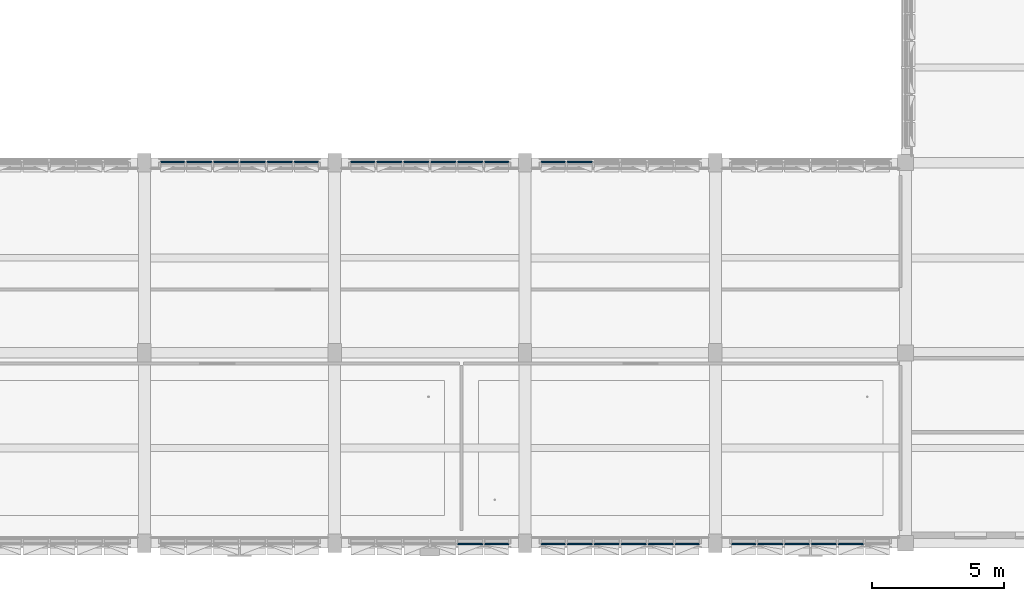
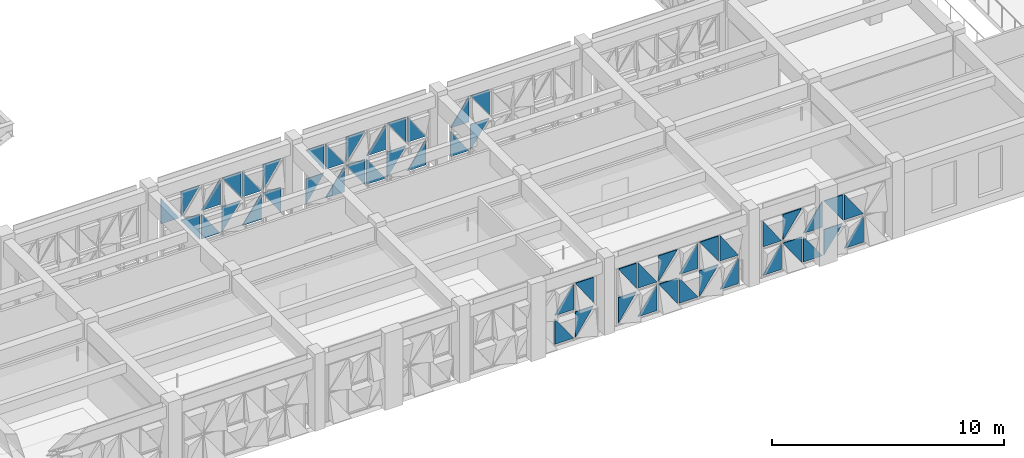
# One storey, part 31 of 88: 53 plates, 6 elements without a shape of their own.
"""IFC4 building model written with IfcOpenShell, lengths in metres."""

from ifc_helpers import new_model, si_unit, direction, frame, origin, place, context, subcontext, project, spatial, polyline, outline, extrude, material, layer, layer_set, type_object, element, aggregate, save


model = new_model("IFC4")

# Units and contexts
model_context = context("Model", 3, precision=1e-05, world=origin(), true_north=direction((0.0, 1.0)))
body_context = subcontext(model_context, "Body", "Model", "MODEL_VIEW")
ifc_project = project(units=[si_unit("LENGTHUNIT", "METRE"), si_unit("AREAUNIT", "SQUARE_METRE"), si_unit("VOLUMEUNIT", "CUBIC_METRE"), si_unit("PLANEANGLEUNIT", "RADIAN"), si_unit("MASSUNIT", "GRAM", prefix="KILO")], contexts=[model_context])

# Site, building, storey
site_placement = place(None, origin())
site = spatial("IfcSite", under=ifc_project, at=site_placement, CompositionType="ELEMENT")
building_placement = place(site_placement, origin())
building = spatial("IfcBuilding", under=site, at=building_placement, Name="Alvorim Cloister Faculty of Sciences", CompositionType="ELEMENT")
storey_placement = place(building_placement, frame((0.0, 0.0, 4.5)))
storey = spatial("IfcBuildingStorey", under=building, at=storey_placement, Name="L01", CompositionType="ELEMENT", Elevation=4.5)

# Curtain wall, plates
ifc_material_1 = material(Name="Aluminium and Low-E Glass Curtain Wall", Category="aluminium")
curtain_wall_type = type_object("IfcCurtainWallType", Name="CW-TRI-6120x3170", PredefinedType="USERDEFINED", material=ifc_material_1)
curtain_wall_1_placement = place(storey_placement, origin())
curtain_wall_1 = element("IfcCurtainWall", 1, at=curtain_wall_1_placement, inside=storey, type_object=curtain_wall_type, Name="L01 Diagonal Cassette Curtain Wall CW-0028", ObjectType="UNITISED CURTAIN WALL", PredefinedType="USERDEFINED")
ifc_material_2 = material(Name="Double Low-E Laminated Glass", Category="glass")
ifc_layer = layer(ifc_material_2, 0.0400390625)
ifc_layer_set = layer_set([ifc_layer], Name="Double Low-E Laminated Glass")
plate_type = type_object("IfcPlateType", Name="PN-GLZ-40", PredefinedType="CURTAIN_PANEL", material=ifc_layer_set)
plate_1_placement = place(storey_placement, frame((36.614990234375, 14.425048828125, 1.6650390625), z_axis=(0.0, 0.0, 1.0), x_axis=(1.0, 0.0, 0.0)))
plate_1 = element("IfcPlate", 2, at=plate_1_placement, type_object=plate_type, Name="Diagonal Glazed Triangle TRI-BL", PredefinedType="CURTAIN_PANEL", context=body_context, shape_type="SweptSolid", body=[
    extrude(outline(polyline([(0.0, 0.0), (0.905517578125, 0.0), (0.0, 1.343017578125), (0.0, 0.0)])), frame((0.0, 0.02490234375, 0.0), z_axis=(0.0, -1.0, 0.0), x_axis=(1.0, 0.0, 0.0)), (0.0, 0.0, 1.0), 0.050048828125),
])
plate_2_placement = place(storey_placement, frame((37.597412109375, 14.425048828125, 0.159912109375), z_axis=(0.0, 0.0, 1.0), x_axis=(1.0, 0.0, 0.0)))
plate_2 = element("IfcPlate", 3, at=plate_2_placement, type_object=plate_type, Name="Diagonal Glazed Triangle TRI-TR", PredefinedType="CURTAIN_PANEL", context=body_context, shape_type="SweptSolid", body=[
    extrude(outline(polyline([(0.945068359375, 0.001953125), (0.945068359375, 1.344970703125), (0.001953125, 1.344970703125), (0.945068359375, 0.001953125)])), frame((0.0, 0.02490234375, 0.0), z_axis=(0.0, -1.0, 0.0), x_axis=(1.0, 0.0, 0.0)), (0.0, 0.0, 1.0), 0.050048828125),
])
plate_3_placement = place(storey_placement, frame((37.597412109375, 14.425048828125, 1.6650390625), z_axis=(0.0, 0.0, 1.0), x_axis=(1.0, 0.0, 0.0)))
plate_3 = element("IfcPlate", 4, at=plate_3_placement, type_object=plate_type, Name="Diagonal Glazed Triangle TRI-TL", PredefinedType="CURTAIN_PANEL", context=body_context, shape_type="SweptSolid", body=[
    extrude(outline(polyline([(0.943115234375, 1.344970703125), (0.0, 1.344970703125), (0.0, 0.001953125), (0.943115234375, 1.344970703125)])), frame((0.0, 0.02490234375, 0.0), z_axis=(0.0, -1.0, 0.0), x_axis=(1.0, 0.0, 0.0)), (0.0, 0.0, 1.0), 0.050048828125),
])
plate_4_placement = place(storey_placement, frame((38.617431640625, 14.425048828125, 0.159912109375), z_axis=(0.0, 0.0, 1.0), x_axis=(1.0, 0.0, 0.0)))
plate_4 = element("IfcPlate", 5, at=plate_4_placement, type_object=plate_type, Name="Diagonal Glazed Triangle TRI-BL", PredefinedType="CURTAIN_PANEL", context=body_context, shape_type="SweptSolid", body=[
    extrude(outline(polyline([(0.0, 0.0), (0.943115234375, 0.0), (0.0, 1.343017578125), (0.0, 0.0)])), frame((0.0, 0.02490234375, 0.0), z_axis=(0.0, -1.0, 0.0), x_axis=(1.0, 0.0, 0.0)), (0.0, 0.0, 1.0), 0.050048828125),
])
plate_5_placement = place(storey_placement, frame((38.617431640625, 14.425048828125, 1.6650390625), z_axis=(0.0, 0.0, 1.0), x_axis=(1.0, 0.0, 0.0)))
plate_5 = element("IfcPlate", 6, at=plate_5_placement, type_object=plate_type, Name="Diagonal Glazed Triangle TRI-BR", PredefinedType="CURTAIN_PANEL", context=body_context, shape_type="SweptSolid", body=[
    extrude(outline(polyline([(0.001953125, 0.0), (0.945068359375, 0.0), (0.945068359375, 1.343017578125), (0.001953125, 0.0)])), frame((0.0, 0.02490234375, 0.0), z_axis=(0.0, -1.0, 0.0), x_axis=(1.0, 0.0, 0.0)), (0.0, 0.0, 1.0), 0.050048828125),
])
plate_6_placement = place(storey_placement, frame((39.637451171875, 14.425048828125, 0.159912109375), z_axis=(0.0, 0.0, 1.0), x_axis=(1.0, 0.0, 0.0)))
plate_6 = element("IfcPlate", 7, at=plate_6_placement, type_object=plate_type, Name="Diagonal Glazed Triangle TRI-TL", PredefinedType="CURTAIN_PANEL", context=body_context, shape_type="SweptSolid", body=[
    extrude(outline(polyline([(0.943115234375, 1.344970703125), (0.0, 1.344970703125), (0.0, 0.001953125), (0.943115234375, 1.344970703125)])), frame((0.0, 0.02490234375, 0.0), z_axis=(0.0, -1.0, 0.0), x_axis=(1.0, 0.0, 0.0)), (0.0, 0.0, 1.0), 0.050048828125),
])
plate_7_placement = place(storey_placement, frame((39.637451171875, 14.425048828125, 1.6650390625), z_axis=(0.0, 0.0, 1.0), x_axis=(1.0, 0.0, 0.0)))
plate_7 = element("IfcPlate", 8, at=plate_7_placement, type_object=plate_type, Name="Diagonal Glazed Triangle TRI-TR", PredefinedType="CURTAIN_PANEL", context=body_context, shape_type="SweptSolid", body=[
    extrude(outline(polyline([(0.945068359375, 0.001953125), (0.945068359375, 1.344970703125), (0.001953125, 1.344970703125), (0.945068359375, 0.001953125)])), frame((0.0, 0.02490234375, 0.0), z_axis=(0.0, -1.0, 0.0), x_axis=(1.0, 0.0, 0.0)), (0.0, 0.0, 1.0), 0.050048828125),
])
plate_8_placement = place(storey_placement, frame((40.657470703125, 14.425048828125, 0.159912109375), z_axis=(0.0, 0.0, 1.0), x_axis=(1.0, 0.0, 0.0)))
plate_8 = element("IfcPlate", 9, at=plate_8_placement, type_object=plate_type, Name="Diagonal Glazed Triangle TRI-BR", PredefinedType="CURTAIN_PANEL", context=body_context, shape_type="SweptSolid", body=[
    extrude(outline(polyline([(0.001953125, 0.0), (0.945068359375, 0.0), (0.945068359375, 1.343017578125), (0.001953125, 0.0)])), frame((0.0, 0.02490234375, 0.0), z_axis=(0.0, -1.0, 0.0), x_axis=(1.0, 0.0, 0.0)), (0.0, 0.0, 1.0), 0.050048828125),
])
plate_9_placement = place(storey_placement, frame((40.657470703125, 14.425048828125, 1.6650390625), z_axis=(0.0, 0.0, 1.0), x_axis=(1.0, 0.0, 0.0)))
plate_9 = element("IfcPlate", 10, at=plate_9_placement, type_object=plate_type, Name="Diagonal Glazed Triangle TRI-BL", PredefinedType="CURTAIN_PANEL", context=body_context, shape_type="SweptSolid", body=[
    extrude(outline(polyline([(0.0, 0.0), (0.943115234375, 0.0), (0.0, 1.343017578125), (0.0, 0.0)])), frame((0.0, 0.02490234375, 0.0), z_axis=(0.0, -1.0, 0.0), x_axis=(1.0, 0.0, 0.0)), (0.0, 0.0, 1.0), 0.050048828125),
])
plate_10_placement = place(storey_placement, frame((41.677490234375, 14.425048828125, 0.159912109375), z_axis=(0.0, 0.0, 1.0), x_axis=(1.0, 0.0, 0.0)))
plate_10 = element("IfcPlate", 11, at=plate_10_placement, type_object=plate_type, Name="Diagonal Glazed Triangle TRI-TR", PredefinedType="CURTAIN_PANEL", context=body_context, shape_type="SweptSolid", body=[
    extrude(outline(polyline([(0.907470703125, 0.001953125), (0.907470703125, 1.344970703125), (0.001953125, 1.344970703125), (0.907470703125, 0.001953125)])), frame((0.0, 0.02490234375, 0.0), z_axis=(0.0, -1.0, 0.0), x_axis=(1.0, 0.0, 0.0)), (0.0, 0.0, 1.0), 0.050048828125),
])
plate_11_placement = place(storey_placement, frame((41.677490234375, 14.425048828125, 1.6650390625), z_axis=(0.0, 0.0, 1.0), x_axis=(1.0, 0.0, 0.0)))
plate_11 = element("IfcPlate", 12, at=plate_11_placement, type_object=plate_type, Name="Diagonal Glazed Triangle TRI-TL", PredefinedType="CURTAIN_PANEL", context=body_context, shape_type="SweptSolid", body=[
    extrude(outline(polyline([(0.905517578125, 1.344970703125), (0.0, 1.344970703125), (0.0, 0.001953125), (0.905517578125, 1.344970703125)])), frame((0.0, 0.02490234375, 0.0), z_axis=(0.0, -1.0, 0.0), x_axis=(1.0, 0.0, 0.0)), (0.0, 0.0, 1.0), 0.050048828125),
])
aggregate(curtain_wall_1, [plate_1, plate_2, plate_3, plate_4, plate_5, plate_6, plate_7, plate_8, plate_9, plate_10, plate_11])

curtain_wall_2_placement = place(storey_placement, origin())
curtain_wall_2 = element("IfcCurtainWall", 13, at=curtain_wall_2_placement, inside=storey, type_object=curtain_wall_type, Name="L01 Diagonal Cassette Curtain Wall CW-0029", ObjectType="UNITISED CURTAIN WALL", PredefinedType="USERDEFINED")
plate_12_placement = place(storey_placement, frame((43.81494140625, 14.425048828125, 0.159912109375), z_axis=(0.0, 0.0, 1.0), x_axis=(1.0, 0.0, 0.0)))
plate_12 = element("IfcPlate", 14, at=plate_12_placement, type_object=plate_type, Name="Diagonal Glazed Triangle TRI-TL", PredefinedType="CURTAIN_PANEL", context=body_context, shape_type="SweptSolid", body=[
    extrude(outline(polyline([(0.905517578125, 1.344970703125), (0.0, 1.344970703125), (0.0, 0.001953125), (0.905517578125, 1.344970703125)])), frame((0.0, 0.02490234375, 0.0), z_axis=(0.0, -1.0, 0.0), x_axis=(1.0, 0.0, 0.0)), (0.0, 0.0, 1.0), 0.050048828125),
])
plate_13_placement = place(storey_placement, frame((43.81494140625, 14.425048828125, 1.6650390625), z_axis=(0.0, 0.0, 1.0), x_axis=(1.0, 0.0, 0.0)))
plate_13 = element("IfcPlate", 15, at=plate_13_placement, type_object=plate_type, Name="Diagonal Glazed Triangle TRI-TR", PredefinedType="CURTAIN_PANEL", context=body_context, shape_type="SweptSolid", body=[
    extrude(outline(polyline([(0.907470703125, 0.001953125), (0.907470703125, 1.344970703125), (0.001953125, 1.344970703125), (0.907470703125, 0.001953125)])), frame((0.0, 0.02490234375, 0.0), z_axis=(0.0, -1.0, 0.0), x_axis=(1.0, 0.0, 0.0)), (0.0, 0.0, 1.0), 0.050048828125),
])
plate_14_placement = place(storey_placement, frame((44.797607421875, 14.425048828125, 0.159912109375), z_axis=(0.0, 0.0, 1.0), x_axis=(1.0, 0.0, 0.0)))
plate_14 = element("IfcPlate", 16, at=plate_14_placement, type_object=plate_type, Name="Diagonal Glazed Triangle TRI-BR", PredefinedType="CURTAIN_PANEL", context=body_context, shape_type="SweptSolid", body=[
    extrude(outline(polyline([(0.001953125, 0.0), (0.945068359375, 0.0), (0.945068359375, 1.343017578125), (0.001953125, 0.0)])), frame((0.0, 0.02490234375, 0.0), z_axis=(0.0, -1.0, 0.0), x_axis=(1.0, 0.0, 0.0)), (0.0, 0.0, 1.0), 0.050048828125),
])
plate_15_placement = place(storey_placement, frame((44.797607421875, 14.425048828125, 1.6650390625), z_axis=(0.0, 0.0, 1.0), x_axis=(1.0, 0.0, 0.0)))
plate_15 = element("IfcPlate", 17, at=plate_15_placement, type_object=plate_type, Name="Diagonal Glazed Triangle TRI-BL", PredefinedType="CURTAIN_PANEL", context=body_context, shape_type="SweptSolid", body=[
    extrude(outline(polyline([(0.0, 0.0), (0.943115234375, 0.0), (0.0, 1.343017578125), (0.0, 0.0)])), frame((0.0, 0.02490234375, 0.0), z_axis=(0.0, -1.0, 0.0), x_axis=(1.0, 0.0, 0.0)), (0.0, 0.0, 1.0), 0.050048828125),
])
plate_16_placement = place(storey_placement, frame((45.8173828125, 14.425048828125, 0.159912109375), z_axis=(0.0, 0.0, 1.0), x_axis=(1.0, 0.0, 0.0)))
plate_16 = element("IfcPlate", 18, at=plate_16_placement, type_object=plate_type, Name="Diagonal Glazed Triangle TRI-TR", PredefinedType="CURTAIN_PANEL", context=body_context, shape_type="SweptSolid", body=[
    extrude(outline(polyline([(0.945068359375, 0.001953125), (0.945068359375, 1.344970703125), (0.001953125, 1.344970703125), (0.945068359375, 0.001953125)])), frame((0.0, 0.02490234375, 0.0), z_axis=(0.0, -1.0, 0.0), x_axis=(1.0, 0.0, 0.0)), (0.0, 0.0, 1.0), 0.050048828125),
])
plate_17_placement = place(storey_placement, frame((45.8173828125, 14.425048828125, 1.6650390625), z_axis=(0.0, 0.0, 1.0), x_axis=(1.0, 0.0, 0.0)))
plate_17 = element("IfcPlate", 19, at=plate_17_placement, type_object=plate_type, Name="Diagonal Glazed Triangle TRI-TL", PredefinedType="CURTAIN_PANEL", context=body_context, shape_type="SweptSolid", body=[
    extrude(outline(polyline([(0.943115234375, 1.344970703125), (0.0, 1.344970703125), (0.0, 0.001953125), (0.943115234375, 1.344970703125)])), frame((0.0, 0.02490234375, 0.0), z_axis=(0.0, -1.0, 0.0), x_axis=(1.0, 0.0, 0.0)), (0.0, 0.0, 1.0), 0.050048828125),
])
plate_18_placement = place(storey_placement, frame((46.83740234375, 14.425048828125, 0.159912109375), z_axis=(0.0, 0.0, 1.0), x_axis=(1.0, 0.0, 0.0)))
plate_18 = element("IfcPlate", 20, at=plate_18_placement, type_object=plate_type, Name="Diagonal Glazed Triangle TRI-BL", PredefinedType="CURTAIN_PANEL", context=body_context, shape_type="SweptSolid", body=[
    extrude(outline(polyline([(0.0, 0.0), (0.943115234375, 0.0), (0.0, 1.343017578125), (0.0, 0.0)])), frame((0.0, 0.02490234375, 0.0), z_axis=(0.0, -1.0, 0.0), x_axis=(1.0, 0.0, 0.0)), (0.0, 0.0, 1.0), 0.050048828125),
])
plate_19_placement = place(storey_placement, frame((46.83740234375, 14.425048828125, 1.6650390625), z_axis=(0.0, 0.0, 1.0), x_axis=(1.0, 0.0, 0.0)))
plate_19 = element("IfcPlate", 21, at=plate_19_placement, type_object=plate_type, Name="Diagonal Glazed Triangle TRI-BR", PredefinedType="CURTAIN_PANEL", context=body_context, shape_type="SweptSolid", body=[
    extrude(outline(polyline([(0.001953125, 0.0), (0.945068359375, 0.0), (0.945068359375, 1.343017578125), (0.001953125, 0.0)])), frame((0.0, 0.02490234375, 0.0), z_axis=(0.0, -1.0, 0.0), x_axis=(1.0, 0.0, 0.0)), (0.0, 0.0, 1.0), 0.050048828125),
])
plate_20_placement = place(storey_placement, frame((47.857421875, 14.425048828125, 0.159912109375), z_axis=(0.0, 0.0, 1.0), x_axis=(1.0, 0.0, 0.0)))
plate_20 = element("IfcPlate", 22, at=plate_20_placement, type_object=plate_type, Name="Diagonal Glazed Triangle TRI-TL", PredefinedType="CURTAIN_PANEL", context=body_context, shape_type="SweptSolid", body=[
    extrude(outline(polyline([(0.943115234375, 1.344970703125), (0.0, 1.344970703125), (0.0, 0.001953125), (0.943115234375, 1.344970703125)])), frame((0.0, 0.02490234375, 0.0), z_axis=(0.0, -1.0, 0.0), x_axis=(1.0, 0.0, 0.0)), (0.0, 0.0, 1.0), 0.050048828125),
])
plate_21_placement = place(storey_placement, frame((47.857421875, 14.425048828125, 1.6650390625), z_axis=(0.0, 0.0, 1.0), x_axis=(1.0, 0.0, 0.0)))
plate_21 = element("IfcPlate", 23, at=plate_21_placement, type_object=plate_type, Name="Diagonal Glazed Triangle TRI-TR", PredefinedType="CURTAIN_PANEL", context=body_context, shape_type="SweptSolid", body=[
    extrude(outline(polyline([(0.945068359375, 0.001953125), (0.945068359375, 1.344970703125), (0.001953125, 1.344970703125), (0.945068359375, 0.001953125)])), frame((0.0, 0.02490234375, 0.0), z_axis=(0.0, -1.0, 0.0), x_axis=(1.0, 0.0, 0.0)), (0.0, 0.0, 1.0), 0.050048828125),
])
plate_22_placement = place(storey_placement, frame((48.87744140625, 14.425048828125, 0.159912109375), z_axis=(0.0, 0.0, 1.0), x_axis=(1.0, 0.0, 0.0)))
plate_22 = element("IfcPlate", 24, at=plate_22_placement, type_object=plate_type, Name="Diagonal Glazed Triangle TRI-BR", PredefinedType="CURTAIN_PANEL", context=body_context, shape_type="SweptSolid", body=[
    extrude(outline(polyline([(0.001953125, 0.0), (0.907470703125, 0.0), (0.907470703125, 1.343017578125), (0.001953125, 0.0)])), frame((0.0, 0.02490234375, 0.0), z_axis=(0.0, -1.0, 0.0), x_axis=(1.0, 0.0, 0.0)), (0.0, 0.0, 1.0), 0.050048828125),
])
plate_23_placement = place(storey_placement, frame((48.87744140625, 14.425048828125, 1.6650390625), z_axis=(0.0, 0.0, 1.0), x_axis=(1.0, 0.0, 0.0)))
plate_23 = element("IfcPlate", 25, at=plate_23_placement, type_object=plate_type, Name="Diagonal Glazed Triangle TRI-BL", PredefinedType="CURTAIN_PANEL", context=body_context, shape_type="SweptSolid", body=[
    extrude(outline(polyline([(0.0, 0.0), (0.905517578125, 0.0), (0.0, 1.343017578125), (0.0, 0.0)])), frame((0.0, 0.02490234375, 0.0), z_axis=(0.0, -1.0, 0.0), x_axis=(1.0, 0.0, 0.0)), (0.0, 0.0, 1.0), 0.050048828125),
])
aggregate(curtain_wall_2, [plate_12, plate_13, plate_14, plate_15, plate_16, plate_17, plate_18, plate_19, plate_20, plate_21, plate_22, plate_23])

curtain_wall_3_placement = place(storey_placement, origin())
curtain_wall_3 = element("IfcCurtainWall", 26, at=curtain_wall_3_placement, inside=storey, type_object=curtain_wall_type, Name="L01 Diagonal Cassette Curtain Wall CW-0030", ObjectType="UNITISED CURTAIN WALL", PredefinedType="USERDEFINED")
plate_24_placement = place(storey_placement, frame((51.014892578125, 14.425048828125, 0.159912109375), z_axis=(0.0, 0.0, 1.0), x_axis=(1.0, 0.0, 0.0)))
plate_24 = element("IfcPlate", 27, at=plate_24_placement, type_object=plate_type, Name="Diagonal Glazed Triangle TRI-BL", PredefinedType="CURTAIN_PANEL", context=body_context, shape_type="SweptSolid", body=[
    extrude(outline(polyline([(0.0, 0.0), (0.905517578125, 0.0), (0.0, 1.343017578125), (0.0, 0.0)])), frame((0.0, 0.02490234375, 0.0), z_axis=(0.0, -1.0, 0.0), x_axis=(1.0, 0.0, 0.0)), (0.0, 0.0, 1.0), 0.050048828125),
])
plate_25_placement = place(storey_placement, frame((51.014892578125, 14.425048828125, 1.6650390625), z_axis=(0.0, 0.0, 1.0), x_axis=(1.0, 0.0, 0.0)))
plate_25 = element("IfcPlate", 28, at=plate_25_placement, type_object=plate_type, Name="Diagonal Glazed Triangle TRI-BR", PredefinedType="CURTAIN_PANEL", context=body_context, shape_type="SweptSolid", body=[
    extrude(outline(polyline([(0.001953125, 0.0), (0.907470703125, 0.0), (0.907470703125, 1.343017578125), (0.001953125, 0.0)])), frame((0.0, 0.02490234375, 0.0), z_axis=(0.0, -1.0, 0.0), x_axis=(1.0, 0.0, 0.0)), (0.0, 0.0, 1.0), 0.050048828125),
])
plate_26_placement = place(storey_placement, frame((51.99755859375, 14.425048828125, 0.159912109375), z_axis=(0.0, 0.0, 1.0), x_axis=(1.0, 0.0, 0.0)))
plate_26 = element("IfcPlate", 29, at=plate_26_placement, type_object=plate_type, Name="Diagonal Glazed Triangle TRI-TL", PredefinedType="CURTAIN_PANEL", context=body_context, shape_type="SweptSolid", body=[
    extrude(outline(polyline([(0.943115234375, 1.344970703125), (0.0, 1.344970703125), (0.0, 0.001953125), (0.943115234375, 1.344970703125)])), frame((0.0, 0.02490234375, 0.0), z_axis=(0.0, -1.0, 0.0), x_axis=(1.0, 0.0, 0.0)), (0.0, 0.0, 1.0), 0.050048828125),
])
plate_27_placement = place(storey_placement, frame((51.99755859375, 14.425048828125, 1.6650390625), z_axis=(0.0, 0.0, 1.0), x_axis=(1.0, 0.0, 0.0)))
plate_27 = element("IfcPlate", 30, at=plate_27_placement, type_object=plate_type, Name="Diagonal Glazed Triangle TRI-TR", PredefinedType="CURTAIN_PANEL", context=body_context, shape_type="SweptSolid", body=[
    extrude(outline(polyline([(0.945068359375, 0.001953125), (0.945068359375, 1.344970703125), (0.001953125, 1.344970703125), (0.945068359375, 0.001953125)])), frame((0.0, 0.02490234375, 0.0), z_axis=(0.0, -1.0, 0.0), x_axis=(1.0, 0.0, 0.0)), (0.0, 0.0, 1.0), 0.050048828125),
])
aggregate(curtain_wall_3, [plate_24, plate_25, plate_26, plate_27])

curtain_wall_4_placement = place(storey_placement, origin())
curtain_wall_4 = element("IfcCurtainWall", 31, at=curtain_wall_4_placement, inside=storey, type_object=curtain_wall_type, Name="L01 Diagonal Cassette Curtain Wall CW-0040", ObjectType="UNITISED CURTAIN WALL", PredefinedType="USERDEFINED")
plate_28_placement = place(storey_placement, frame((58.215087890625, -0.02490234375, 0.159912109375), z_axis=(0.0, 0.0, 1.0), x_axis=(1.0, 0.0, 0.0)))
plate_28 = element("IfcPlate", 32, at=plate_28_placement, type_object=plate_type, Name="Diagonal Glazed Triangle TRI-BR", PredefinedType="CURTAIN_PANEL", context=body_context, shape_type="SweptSolid", body=[
    extrude(outline(polyline([(0.001953125, 0.0), (0.907470703125, 0.0), (0.907470703125, 1.343017578125), (0.001953125, 0.0)])), frame((0.0, 0.02490234375, 0.0), z_axis=(0.0, -1.0, 0.0), x_axis=(1.0, 0.0, 0.0)), (0.0, 0.0, 1.0), 0.050048828125),
])
plate_29_placement = place(storey_placement, frame((58.215087890625, -0.02490234375, 1.6650390625), z_axis=(0.0, 0.0, 1.0), x_axis=(1.0, 0.0, 0.0)))
plate_29 = element("IfcPlate", 33, at=plate_29_placement, type_object=plate_type, Name="Diagonal Glazed Triangle TRI-BL", PredefinedType="CURTAIN_PANEL", context=body_context, shape_type="SweptSolid", body=[
    extrude(outline(polyline([(0.0, 0.0), (0.905517578125, 0.0), (0.0, 1.343017578125), (0.0, 0.0)])), frame((0.0, 0.02490234375, 0.0), z_axis=(0.0, -1.0, 0.0), x_axis=(1.0, 0.0, 0.0)), (0.0, 0.0, 1.0), 0.050048828125),
])
plate_30_placement = place(storey_placement, frame((59.197509765625, -0.02490234375, 0.159912109375), z_axis=(0.0, 0.0, 1.0), x_axis=(1.0, 0.0, 0.0)))
plate_30 = element("IfcPlate", 34, at=plate_30_placement, type_object=plate_type, Name="Diagonal Glazed Triangle TRI-TR", PredefinedType="CURTAIN_PANEL", context=body_context, shape_type="SweptSolid", body=[
    extrude(outline(polyline([(0.945068359375, 0.001953125), (0.945068359375, 1.344970703125), (0.001953125, 1.344970703125), (0.945068359375, 0.001953125)])), frame((0.0, 0.02490234375, 0.0), z_axis=(0.0, -1.0, 0.0), x_axis=(1.0, 0.0, 0.0)), (0.0, 0.0, 1.0), 0.050048828125),
])
plate_31_placement = place(storey_placement, frame((59.197509765625, -0.02490234375, 1.6650390625), z_axis=(0.0, 0.0, 1.0), x_axis=(1.0, 0.0, 0.0)))
plate_31 = element("IfcPlate", 35, at=plate_31_placement, type_object=plate_type, Name="Diagonal Glazed Triangle TRI-TL", PredefinedType="CURTAIN_PANEL", context=body_context, shape_type="SweptSolid", body=[
    extrude(outline(polyline([(0.943115234375, 1.344970703125), (0.0, 1.344970703125), (0.0, 0.001953125), (0.943115234375, 1.344970703125)])), frame((0.0, 0.02490234375, 0.0), z_axis=(0.0, -1.0, 0.0), x_axis=(1.0, 0.0, 0.0)), (0.0, 0.0, 1.0), 0.050048828125),
])
plate_32_placement = place(storey_placement, frame((60.217529296875, -0.02490234375, 0.159912109375), z_axis=(0.0, 0.0, 1.0), x_axis=(1.0, 0.0, 0.0)))
plate_32 = element("IfcPlate", 36, at=plate_32_placement, type_object=plate_type, Name="Diagonal Glazed Triangle TRI-BL", PredefinedType="CURTAIN_PANEL", context=body_context, shape_type="SweptSolid", body=[
    extrude(outline(polyline([(0.0, 0.0), (0.943115234375, 0.0), (0.0, 1.343017578125), (0.0, 0.0)])), frame((0.0, 0.02490234375, 0.0), z_axis=(0.0, -1.0, 0.0), x_axis=(1.0, 0.0, 0.0)), (0.0, 0.0, 1.0), 0.050048828125),
])
plate_33_placement = place(storey_placement, frame((60.217529296875, -0.02490234375, 1.6650390625), z_axis=(0.0, 0.0, 1.0), x_axis=(1.0, 0.0, 0.0)))
plate_33 = element("IfcPlate", 37, at=plate_33_placement, type_object=plate_type, Name="Diagonal Glazed Triangle TRI-BR", PredefinedType="CURTAIN_PANEL", context=body_context, shape_type="SweptSolid", body=[
    extrude(outline(polyline([(0.001953125, 0.0), (0.945068359375, 0.0), (0.945068359375, 1.343017578125), (0.001953125, 0.0)])), frame((0.0, 0.02490234375, 0.0), z_axis=(0.0, -1.0, 0.0), x_axis=(1.0, 0.0, 0.0)), (0.0, 0.0, 1.0), 0.050048828125),
])
plate_34_placement = place(storey_placement, frame((61.237548828125, -0.02490234375, 0.159912109375), z_axis=(0.0, 0.0, 1.0), x_axis=(1.0, 0.0, 0.0)))
plate_34 = element("IfcPlate", 38, at=plate_34_placement, type_object=plate_type, Name="Diagonal Glazed Triangle TRI-TL", PredefinedType="CURTAIN_PANEL", context=body_context, shape_type="SweptSolid", body=[
    extrude(outline(polyline([(0.943115234375, 1.344970703125), (0.0, 1.344970703125), (0.0, 0.001953125), (0.943115234375, 1.344970703125)])), frame((0.0, 0.02490234375, 0.0), z_axis=(0.0, -1.0, 0.0), x_axis=(1.0, 0.0, 0.0)), (0.0, 0.0, 1.0), 0.050048828125),
])
plate_35_placement = place(storey_placement, frame((61.237548828125, -0.02490234375, 1.6650390625), z_axis=(0.0, 0.0, 1.0), x_axis=(1.0, 0.0, 0.0)))
plate_35 = element("IfcPlate", 39, at=plate_35_placement, type_object=plate_type, Name="Diagonal Glazed Triangle TRI-TR", PredefinedType="CURTAIN_PANEL", context=body_context, shape_type="SweptSolid", body=[
    extrude(outline(polyline([(0.945068359375, 0.001953125), (0.945068359375, 1.344970703125), (0.001953125, 1.344970703125), (0.945068359375, 0.001953125)])), frame((0.0, 0.02490234375, 0.0), z_axis=(0.0, -1.0, 0.0), x_axis=(1.0, 0.0, 0.0)), (0.0, 0.0, 1.0), 0.050048828125),
])
plate_36_placement = place(storey_placement, frame((62.257568359375, -0.02490234375, 0.159912109375), z_axis=(0.0, 0.0, 1.0), x_axis=(1.0, 0.0, 0.0)))
plate_36 = element("IfcPlate", 40, at=plate_36_placement, type_object=plate_type, Name="Diagonal Glazed Triangle TRI-BR", PredefinedType="CURTAIN_PANEL", context=body_context, shape_type="SweptSolid", body=[
    extrude(outline(polyline([(0.001953125, 0.0), (0.945068359375, 0.0), (0.945068359375, 1.343017578125), (0.001953125, 0.0)])), frame((0.0, 0.02490234375, 0.0), z_axis=(0.0, -1.0, 0.0), x_axis=(1.0, 0.0, 0.0)), (0.0, 0.0, 1.0), 0.050048828125),
])
plate_37_placement = place(storey_placement, frame((62.257568359375, -0.02490234375, 1.6650390625), z_axis=(0.0, 0.0, 1.0), x_axis=(1.0, 0.0, 0.0)))
plate_37 = element("IfcPlate", 41, at=plate_37_placement, type_object=plate_type, Name="Diagonal Glazed Triangle TRI-BL", PredefinedType="CURTAIN_PANEL", context=body_context, shape_type="SweptSolid", body=[
    extrude(outline(polyline([(0.0, 0.0), (0.943115234375, 0.0), (0.0, 1.343017578125), (0.0, 0.0)])), frame((0.0, 0.02490234375, 0.0), z_axis=(0.0, -1.0, 0.0), x_axis=(1.0, 0.0, 0.0)), (0.0, 0.0, 1.0), 0.050048828125),
])
aggregate(curtain_wall_4, [plate_28, plate_29, plate_30, plate_31, plate_32, plate_33, plate_34, plate_35, plate_36, plate_37])

curtain_wall_5_placement = place(storey_placement, origin())
curtain_wall_5 = element("IfcCurtainWall", 42, at=curtain_wall_5_placement, inside=storey, type_object=curtain_wall_type, Name="L01 Diagonal Cassette Curtain Wall CW-0041", ObjectType="UNITISED CURTAIN WALL", PredefinedType="USERDEFINED")
plate_38_placement = place(storey_placement, frame((51.014892578125, -0.02490234375, 0.159912109375), z_axis=(0.0, 0.0, 1.0), x_axis=(1.0, 0.0, 0.0)))
plate_38 = element("IfcPlate", 43, at=plate_38_placement, type_object=plate_type, Name="Diagonal Glazed Triangle TRI-TL", PredefinedType="CURTAIN_PANEL", context=body_context, shape_type="SweptSolid", body=[
    extrude(outline(polyline([(0.905517578125, 1.344970703125), (0.0, 1.344970703125), (0.0, 0.001953125), (0.905517578125, 1.344970703125)])), frame((0.0, 0.02490234375, 0.0), z_axis=(0.0, -1.0, 0.0), x_axis=(1.0, 0.0, 0.0)), (0.0, 0.0, 1.0), 0.050048828125),
])
plate_39_placement = place(storey_placement, frame((51.014892578125, -0.02490234375, 1.6650390625), z_axis=(0.0, 0.0, 1.0), x_axis=(1.0, 0.0, 0.0)))
plate_39 = element("IfcPlate", 44, at=plate_39_placement, type_object=plate_type, Name="Diagonal Glazed Triangle TRI-TR", PredefinedType="CURTAIN_PANEL", context=body_context, shape_type="SweptSolid", body=[
    extrude(outline(polyline([(0.907470703125, 0.001953125), (0.907470703125, 1.344970703125), (0.001953125, 1.344970703125), (0.907470703125, 0.001953125)])), frame((0.0, 0.02490234375, 0.0), z_axis=(0.0, -1.0, 0.0), x_axis=(1.0, 0.0, 0.0)), (0.0, 0.0, 1.0), 0.050048828125),
])
plate_40_placement = place(storey_placement, frame((51.99755859375, -0.02490234375, 0.159912109375), z_axis=(0.0, 0.0, 1.0), x_axis=(1.0, 0.0, 0.0)))
plate_40 = element("IfcPlate", 45, at=plate_40_placement, type_object=plate_type, Name="Diagonal Glazed Triangle TRI-BR", PredefinedType="CURTAIN_PANEL", context=body_context, shape_type="SweptSolid", body=[
    extrude(outline(polyline([(0.001953125, 0.0), (0.945068359375, 0.0), (0.945068359375, 1.343017578125), (0.001953125, 0.0)])), frame((0.0, 0.02490234375, 0.0), z_axis=(0.0, -1.0, 0.0), x_axis=(1.0, 0.0, 0.0)), (0.0, 0.0, 1.0), 0.050048828125),
])
plate_41_placement = place(storey_placement, frame((51.99755859375, -0.02490234375, 1.6650390625), z_axis=(0.0, 0.0, 1.0), x_axis=(1.0, 0.0, 0.0)))
plate_41 = element("IfcPlate", 46, at=plate_41_placement, type_object=plate_type, Name="Diagonal Glazed Triangle TRI-BL", PredefinedType="CURTAIN_PANEL", context=body_context, shape_type="SweptSolid", body=[
    extrude(outline(polyline([(0.0, 0.0), (0.943115234375, 0.0), (0.0, 1.343017578125), (0.0, 0.0)])), frame((0.0, 0.02490234375, 0.0), z_axis=(0.0, -1.0, 0.0), x_axis=(1.0, 0.0, 0.0)), (0.0, 0.0, 1.0), 0.050048828125),
])
plate_42_placement = place(storey_placement, frame((53.017578125, -0.02490234375, 0.159912109375), z_axis=(0.0, 0.0, 1.0), x_axis=(1.0, 0.0, 0.0)))
plate_42 = element("IfcPlate", 47, at=plate_42_placement, type_object=plate_type, Name="Diagonal Glazed Triangle TRI-TR", PredefinedType="CURTAIN_PANEL", context=body_context, shape_type="SweptSolid", body=[
    extrude(outline(polyline([(0.945068359375, 0.001953125), (0.945068359375, 1.344970703125), (0.001953125, 1.344970703125), (0.945068359375, 0.001953125)])), frame((0.0, 0.02490234375, 0.0), z_axis=(0.0, -1.0, 0.0), x_axis=(1.0, 0.0, 0.0)), (0.0, 0.0, 1.0), 0.050048828125),
])
plate_43_placement = place(storey_placement, frame((53.017578125, -0.02490234375, 1.6650390625), z_axis=(0.0, 0.0, 1.0), x_axis=(1.0, 0.0, 0.0)))
plate_43 = element("IfcPlate", 48, at=plate_43_placement, type_object=plate_type, Name="Diagonal Glazed Triangle TRI-TL", PredefinedType="CURTAIN_PANEL", context=body_context, shape_type="SweptSolid", body=[
    extrude(outline(polyline([(0.943115234375, 1.344970703125), (0.0, 1.344970703125), (0.0, 0.001953125), (0.943115234375, 1.344970703125)])), frame((0.0, 0.02490234375, 0.0), z_axis=(0.0, -1.0, 0.0), x_axis=(1.0, 0.0, 0.0)), (0.0, 0.0, 1.0), 0.050048828125),
])
plate_44_placement = place(storey_placement, frame((54.03759765625, -0.02490234375, 0.159912109375), z_axis=(0.0, 0.0, 1.0), x_axis=(1.0, 0.0, 0.0)))
plate_44 = element("IfcPlate", 49, at=plate_44_placement, type_object=plate_type, Name="Diagonal Glazed Triangle TRI-BL", PredefinedType="CURTAIN_PANEL", context=body_context, shape_type="SweptSolid", body=[
    extrude(outline(polyline([(0.0, 0.0), (0.943115234375, 0.0), (0.0, 1.343017578125), (0.0, 0.0)])), frame((0.0, 0.02490234375, 0.0), z_axis=(0.0, -1.0, 0.0), x_axis=(1.0, 0.0, 0.0)), (0.0, 0.0, 1.0), 0.050048828125),
])
plate_45_placement = place(storey_placement, frame((54.03759765625, -0.02490234375, 1.6650390625), z_axis=(0.0, 0.0, 1.0), x_axis=(1.0, 0.0, 0.0)))
plate_45 = element("IfcPlate", 50, at=plate_45_placement, type_object=plate_type, Name="Diagonal Glazed Triangle TRI-BR", PredefinedType="CURTAIN_PANEL", context=body_context, shape_type="SweptSolid", body=[
    extrude(outline(polyline([(0.001953125, 0.0), (0.945068359375, 0.0), (0.945068359375, 1.343017578125), (0.001953125, 0.0)])), frame((0.0, 0.02490234375, 0.0), z_axis=(0.0, -1.0, 0.0), x_axis=(1.0, 0.0, 0.0)), (0.0, 0.0, 1.0), 0.050048828125),
])
plate_46_placement = place(storey_placement, frame((55.0576171875, -0.02490234375, 0.159912109375), z_axis=(0.0, 0.0, 1.0), x_axis=(1.0, 0.0, 0.0)))
plate_46 = element("IfcPlate", 51, at=plate_46_placement, type_object=plate_type, Name="Diagonal Glazed Triangle TRI-TL", PredefinedType="CURTAIN_PANEL", context=body_context, shape_type="SweptSolid", body=[
    extrude(outline(polyline([(0.943115234375, 1.344970703125), (0.0, 1.344970703125), (0.0, 0.001953125), (0.943115234375, 1.344970703125)])), frame((0.0, 0.02490234375, 0.0), z_axis=(0.0, -1.0, 0.0), x_axis=(1.0, 0.0, 0.0)), (0.0, 0.0, 1.0), 0.050048828125),
])
plate_47_placement = place(storey_placement, frame((55.0576171875, -0.02490234375, 1.6650390625), z_axis=(0.0, 0.0, 1.0), x_axis=(1.0, 0.0, 0.0)))
plate_47 = element("IfcPlate", 52, at=plate_47_placement, type_object=plate_type, Name="Diagonal Glazed Triangle TRI-TR", PredefinedType="CURTAIN_PANEL", context=body_context, shape_type="SweptSolid", body=[
    extrude(outline(polyline([(0.945068359375, 0.001953125), (0.945068359375, 1.344970703125), (0.001953125, 1.344970703125), (0.945068359375, 0.001953125)])), frame((0.0, 0.02490234375, 0.0), z_axis=(0.0, -1.0, 0.0), x_axis=(1.0, 0.0, 0.0)), (0.0, 0.0, 1.0), 0.050048828125),
])
plate_48_placement = place(storey_placement, frame((56.077392578125, -0.02490234375, 0.159912109375), z_axis=(0.0, 0.0, 1.0), x_axis=(1.0, 0.0, 0.0)))
plate_48 = element("IfcPlate", 53, at=plate_48_placement, type_object=plate_type, Name="Diagonal Glazed Triangle TRI-BR", PredefinedType="CURTAIN_PANEL", context=body_context, shape_type="SweptSolid", body=[
    extrude(outline(polyline([(0.001953125, 0.0), (0.907470703125, 0.0), (0.907470703125, 1.343017578125), (0.001953125, 0.0)])), frame((0.0, 0.02490234375, 0.0), z_axis=(0.0, -1.0, 0.0), x_axis=(1.0, 0.0, 0.0)), (0.0, 0.0, 1.0), 0.050048828125),
])
plate_49_placement = place(storey_placement, frame((56.077392578125, -0.02490234375, 1.6650390625), z_axis=(0.0, 0.0, 1.0), x_axis=(1.0, 0.0, 0.0)))
plate_49 = element("IfcPlate", 54, at=plate_49_placement, type_object=plate_type, Name="Diagonal Glazed Triangle TRI-BL", PredefinedType="CURTAIN_PANEL", context=body_context, shape_type="SweptSolid", body=[
    extrude(outline(polyline([(0.0, 0.0), (0.905517578125, 0.0), (0.0, 1.343017578125), (0.0, 0.0)])), frame((0.0, 0.02490234375, 0.0), z_axis=(0.0, -1.0, 0.0), x_axis=(1.0, 0.0, 0.0)), (0.0, 0.0, 1.0), 0.050048828125),
])
aggregate(curtain_wall_5, [plate_38, plate_39, plate_40, plate_41, plate_42, plate_43, plate_44, plate_45, plate_46, plate_47, plate_48, plate_49])

curtain_wall_6_placement = place(storey_placement, origin())
curtain_wall_6 = element("IfcCurtainWall", 55, at=curtain_wall_6_placement, inside=storey, type_object=curtain_wall_type, Name="L01 Diagonal Cassette Curtain Wall CW-0042", ObjectType="UNITISED CURTAIN WALL", PredefinedType="USERDEFINED")
plate_50_placement = place(storey_placement, frame((47.857421875, -0.02490234375, 0.159912109375), z_axis=(0.0, 0.0, 1.0), x_axis=(1.0, 0.0, 0.0)))
plate_50 = element("IfcPlate", 56, at=plate_50_placement, type_object=plate_type, Name="Diagonal Glazed Triangle TRI-BL", PredefinedType="CURTAIN_PANEL", context=body_context, shape_type="SweptSolid", body=[
    extrude(outline(polyline([(0.0, 0.0), (0.943115234375, 0.0), (0.0, 1.343017578125), (0.0, 0.0)])), frame((0.0, 0.02490234375, 0.0), z_axis=(0.0, -1.0, 0.0), x_axis=(1.0, 0.0, 0.0)), (0.0, 0.0, 1.0), 0.050048828125),
])
plate_51_placement = place(storey_placement, frame((47.857421875, -0.02490234375, 1.6650390625), z_axis=(0.0, 0.0, 1.0), x_axis=(1.0, 0.0, 0.0)))
plate_51 = element("IfcPlate", 57, at=plate_51_placement, type_object=plate_type, Name="Diagonal Glazed Triangle TRI-BR", PredefinedType="CURTAIN_PANEL", context=body_context, shape_type="SweptSolid", body=[
    extrude(outline(polyline([(0.001953125, 0.0), (0.945068359375, 0.0), (0.945068359375, 1.343017578125), (0.001953125, 0.0)])), frame((0.0, 0.02490234375, 0.0), z_axis=(0.0, -1.0, 0.0), x_axis=(1.0, 0.0, 0.0)), (0.0, 0.0, 1.0), 0.050048828125),
])
plate_52_placement = place(storey_placement, frame((48.87744140625, -0.02490234375, 0.159912109375), z_axis=(0.0, 0.0, 1.0), x_axis=(1.0, 0.0, 0.0)))
plate_52 = element("IfcPlate", 58, at=plate_52_placement, type_object=plate_type, Name="Diagonal Glazed Triangle TRI-TL", PredefinedType="CURTAIN_PANEL", context=body_context, shape_type="SweptSolid", body=[
    extrude(outline(polyline([(0.905517578125, 1.344970703125), (0.0, 1.344970703125), (0.0, 0.001953125), (0.905517578125, 1.344970703125)])), frame((0.0, 0.02490234375, 0.0), z_axis=(0.0, -1.0, 0.0), x_axis=(1.0, 0.0, 0.0)), (0.0, 0.0, 1.0), 0.050048828125),
])
plate_53_placement = place(storey_placement, frame((48.87744140625, -0.02490234375, 1.6650390625), z_axis=(0.0, 0.0, 1.0), x_axis=(1.0, 0.0, 0.0)))
plate_53 = element("IfcPlate", 59, at=plate_53_placement, type_object=plate_type, Name="Diagonal Glazed Triangle TRI-TR", PredefinedType="CURTAIN_PANEL", context=body_context, shape_type="SweptSolid", body=[
    extrude(outline(polyline([(0.907470703125, 0.001953125), (0.907470703125, 1.344970703125), (0.001953125, 1.344970703125), (0.907470703125, 0.001953125)])), frame((0.0, 0.02490234375, 0.0), z_axis=(0.0, -1.0, 0.0), x_axis=(1.0, 0.0, 0.0)), (0.0, 0.0, 1.0), 0.050048828125),
])
aggregate(curtain_wall_6, [plate_50, plate_51, plate_52, plate_53])

save(model, "model.ifc")
